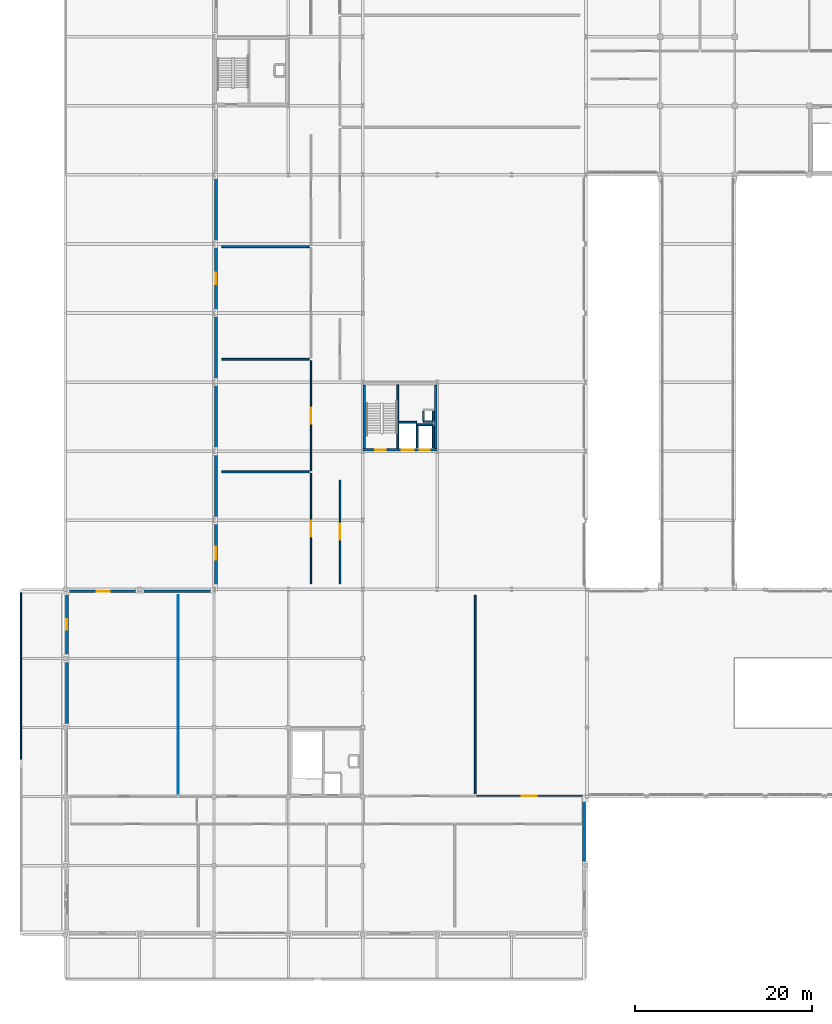
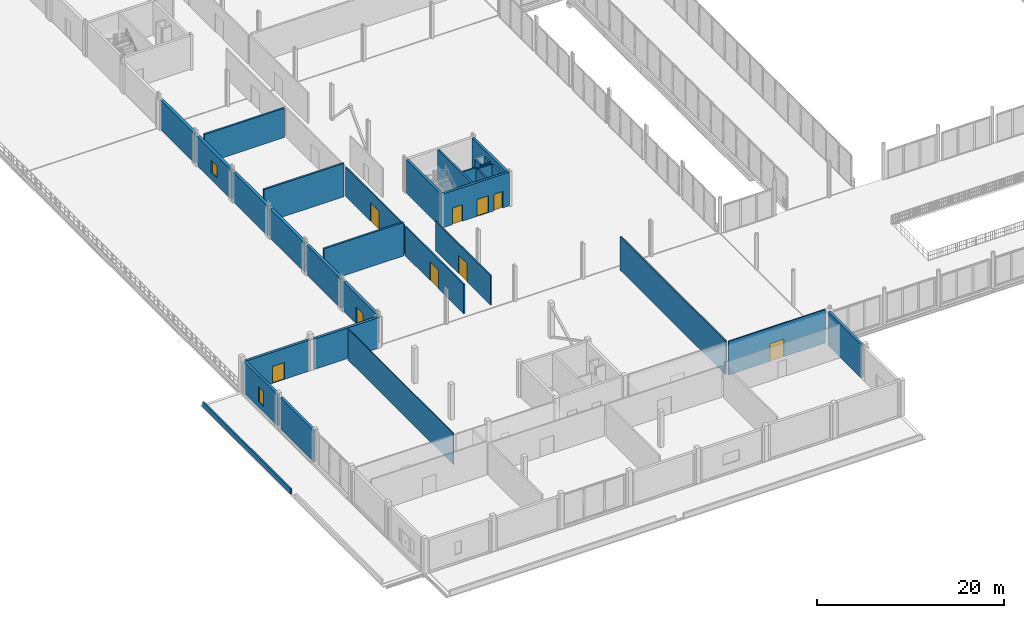
# One storey, part 69 of 98: 32 walls, 9 doors, 2 windows, 11 openings.
"""IFC4 building model written with IfcOpenShell, lengths in metres."""

from ifc_helpers import new_model, si_unit, direction, frame, frame_2d, origin, place, context, subcontext, project, spatial, rectangle, extrude, material, layer, layer_set, type_object, element, fill, save


model = new_model("IFC4")

# Units and contexts
model_context = context("Model", 3, precision=1e-05, world=origin(), true_north=direction((0.0, 1.0)))
body_context = subcontext(model_context, "Body", "Model", "MODEL_VIEW")
ifc_project = project(units=[si_unit("LENGTHUNIT", "METRE"), si_unit("AREAUNIT", "SQUARE_METRE"), si_unit("VOLUMEUNIT", "CUBIC_METRE"), si_unit("PLANEANGLEUNIT", "RADIAN"), si_unit("MASSUNIT", "GRAM", prefix="KILO")], contexts=[model_context])

# Site, building, storey
site_placement = place(None, origin())
site = spatial("IfcSite", under=ifc_project, at=site_placement, CompositionType="ELEMENT")
building_placement = place(site_placement, origin())
building = spatial("IfcBuilding", under=site, at=building_placement, Name="Nabrawat Pavilion Hospital", CompositionType="ELEMENT")
storey_placement = place(building_placement, frame((0.0, 0.0, 10.199951171875)))
storey = spatial("IfcBuildingStorey", under=building, at=storey_placement, Name="L02", CompositionType="ELEMENT", Elevation=10.199951171875)

# Wall
ifc_material_1 = material(Name="Gypsum Plasterboard on Stud", Category="gypsum")
ifc_layer_1 = layer(ifc_material_1, 0.10009765625, Name="Gypsum Plasterboard on Stud")
ifc_layer_set_1 = layer_set([ifc_layer_1], Name="Gypsum Plasterboard on Stud")
wall_type_1 = type_object("IfcWallType", Name="Clean Utility Sub-Partition 100", PredefinedType="PARTITIONING", material=ifc_layer_set_1)
wall_1_placement = place(storey_placement, frame((12.75, 15.909912109375, 0.0), z_axis=(0.0, 0.0, 1.0), x_axis=(0.0, 1.0, 0.0)))
element("IfcWall", 1, at=wall_1_placement, inside=storey, type_object=wall_type_1, Name="L02 Ventilator and ECMO Equipment Store L02-05 Dividing Partition", PredefinedType="PARTITIONING", context=body_context, shape_type="SweptSolid", body=[
    extrude(rectangle(XDim=22.400146484375, YDim=0.10009765625, at=frame_2d((11.2001953125, 0.0))), origin(), (0.0, 0.0, 1.0), 4.0400390625),
])

# Wall, opening, door
ifc_material_2 = material(Name="Gypsum Fireboard on Steel Stud", Category="steel")
ifc_layer_2 = layer(ifc_material_2, 0.14990234375, Name="Gypsum Fireboard on Steel Stud")
ifc_layer_set_2 = layer_set([ifc_layer_2], Name="Gypsum Fireboard on Steel Stud")
wall_type_2 = type_object("IfcWallType", Name="Clinical Corridor Smoke-Barrier Wall 150", PredefinedType="PARTITIONING", material=ifc_layer_set_2)
wall_2_placement = place(storey_placement, frame((46.4599609375, 15.68994140625, 0.0), z_axis=(0.0, 0.0, 1.0), x_axis=(1.0, 0.0, 0.0)))
wall_2 = element("IfcWall", 2, at=wall_2_placement, inside=storey, type_object=wall_type_2, Name="L02 Intensive Care Pod Coronary CCU B L02-08 Front Partition", PredefinedType="PARTITIONING", context=body_context, shape_type="SweptSolid", body=[
    extrude(rectangle(XDim=11.919921875, YDim=0.14990234375, at=frame_2d((5.9599609375, 0.0))), origin(), (0.0, 0.0, 1.0), 4.3701171875),
])
opening_1_placement = place(wall_2_placement, frame((5.110107421875, 0.0, 0.0)))
opening_1 = element("IfcOpeningElement", 3, at=opening_1_placement, cuts=wall_2, Name="Opening D-ICU", PredefinedType="OPENING", context=body_context, shape_type="SweptSolid", body=[
    extrude(rectangle(XDim=1.699951171875, YDim=2.300048828125, at=frame_2d((0.85009765625, 1.14990234375))), frame((0.0, 0.0849609375, 0.0), z_axis=(0.0, -1.0, 0.0), x_axis=(1.0, 0.0, 0.0)), (0.0, 0.0, 1.0), 0.169921875),
])
ifc_material_3 = material(Name="Stainless-Clad Acoustic Timber and Vision Glass", Category="wood")
door_type_1 = type_object("IfcDoorType", Name="Intensive Care Glazed Breakout Door 1700x2300", OperationType="DOUBLE_DOOR_SLIDING", PredefinedType="DOOR", material=ifc_material_3)
door_1_placement = place(opening_1_placement, origin())
door_1 = element("IfcDoor", 4, at=door_1_placement, inside=storey, type_object=door_type_1, Name="Intensive Care Pod Coronary CCU B L02-08 Door", OperationType="DOUBLE_DOOR_SLIDING", OverallHeight=2.300048828125, OverallWidth=1.699951171875, PredefinedType="DOOR", context=body_context, shape_type="SweptSolid", body=[
    extrude(rectangle(XDim=1.699951171875, YDim=2.300048828125, at=frame_2d((0.85009765625, 1.14990234375))), frame((0.0, 0.02490234375, 0.0), z_axis=(0.0, -1.0, 0.0), x_axis=(1.0, 0.0, 0.0)), (0.0, 0.0, 1.0), 0.050048828125),
])
fill(opening_1, door_1)

wall_3_placement = place(storey_placement, frame((27.760009765625, 39.6201171875, 0.0), z_axis=(0.0, 0.0, 1.0), x_axis=(0.0, 1.0, 0.0)))
wall_3 = element("IfcWall", 5, at=wall_3_placement, inside=storey, type_object=wall_type_2, Name="L02 Operating Theatre 7 Robotic Urology L02-01 Front Partition", PredefinedType="PARTITIONING", context=body_context, shape_type="SweptSolid", body=[
    extrude(rectangle(XDim=12.482421875, YDim=0.14990234375, at=frame_2d((6.2412109375, 0.0))), origin(), (0.0, 0.0, 1.0), 3.820068359375),
])
opening_2_placement = place(wall_3_placement, frame((5.34130859375, 0.0, 0.0)))
opening_2 = element("IfcOpeningElement", 6, at=opening_2_placement, cuts=wall_3, Name="Opening D-OR", PredefinedType="OPENING", context=body_context, shape_type="SweptSolid", body=[
    extrude(rectangle(XDim=1.800048828125, YDim=2.39990234375, at=frame_2d((0.89990234375, 1.199951171875))), frame((0.0, 0.0849609375, 0.0), z_axis=(0.0, -1.0, 0.0), x_axis=(1.0, 0.0, 0.0)), (0.0, 0.0, 1.0), 0.169921875),
])
door_type_2 = type_object("IfcDoorType", Name="D-OR Hermetic Operating Theatre Automatic Door 1800x2400", OperationType="DOUBLE_DOOR_SLIDING", PredefinedType="DOOR", material=ifc_material_3)
door_2_placement = place(opening_2_placement, origin())
door_2 = element("IfcDoor", 7, at=door_2_placement, inside=storey, type_object=door_type_2, Name="Operating Theatre 7 Robotic Urology L02-01 Door", OperationType="DOUBLE_DOOR_SLIDING", OverallHeight=2.39990234375, OverallWidth=1.800048828125, PredefinedType="DOOR", context=body_context, shape_type="SweptSolid", body=[
    extrude(rectangle(XDim=1.800048828125, YDim=2.39990234375, at=frame_2d((0.89990234375, 1.199951171875))), frame((0.0, 0.02490234375, 0.0), z_axis=(0.0, -1.0, 0.0), x_axis=(1.0, 0.0, 0.0)), (0.0, 0.0, 1.0), 0.050048828125),
])
fill(opening_2, door_2)

wall_4_placement = place(storey_placement, frame((27.760009765625, 52.422607421875, 0.0), z_axis=(0.0, 0.0, 1.0), x_axis=(0.0, 1.0, 0.0)))
wall_4 = element("IfcWall", 8, at=wall_4_placement, inside=storey, type_object=wall_type_2, Name="L02 Operating Theatre 8 Ophthalmic Microsurgery L02-02 Front Partition", PredefinedType="PARTITIONING", context=body_context, shape_type="SweptSolid", body=[
    extrude(rectangle(XDim=12.40234375, YDim=0.14990234375, at=frame_2d((6.201171875, 0.0))), origin(), (0.0, 0.0, 1.0), 3.820068359375),
])
opening_3_placement = place(wall_4_placement, frame((5.30126953125, 0.0, 0.0)))
opening_3 = element("IfcOpeningElement", 9, at=opening_3_placement, cuts=wall_4, Name="Opening D-OR", PredefinedType="OPENING", context=body_context, shape_type="SweptSolid", body=[
    extrude(rectangle(XDim=1.800048828125, YDim=2.39990234375, at=frame_2d((0.89990234375, 1.199951171875))), frame((0.0, 0.0849609375, 0.0), z_axis=(0.0, -1.0, 0.0), x_axis=(1.0, 0.0, 0.0)), (0.0, 0.0, 1.0), 0.169921875),
])
door_3_placement = place(opening_3_placement, origin())
door_3 = element("IfcDoor", 10, at=door_3_placement, inside=storey, type_object=door_type_2, Name="Operating Theatre 8 Ophthalmic Microsurgery L02-02 Door", OperationType="DOUBLE_DOOR_SLIDING", OverallHeight=2.39990234375, OverallWidth=1.800048828125, PredefinedType="DOOR", context=body_context, shape_type="SweptSolid", body=[
    extrude(rectangle(XDim=1.800048828125, YDim=2.39990234375, at=frame_2d((0.89990234375, 1.199951171875))), frame((0.0, 0.02490234375, 0.0), z_axis=(0.0, -1.0, 0.0), x_axis=(1.0, 0.0, 0.0)), (0.0, 0.0, 1.0), 0.050048828125),
])
fill(opening_3, door_3)

wall_5_placement = place(storey_placement, frame((31.0400390625, 39.6201171875, 0.0), z_axis=(0.0, 0.0, 1.0), x_axis=(0.0, 1.0, 0.0)))
wall_5 = element("IfcWall", 11, at=wall_5_placement, inside=storey, type_object=wall_type_2, Name="L02 Operating Theatre 12 Plastic Microsurgical L02-06 Front Partition", PredefinedType="PARTITIONING", context=body_context, shape_type="SweptSolid", body=[
    extrude(rectangle(XDim=11.72998046875, YDim=0.14990234375, at=frame_2d((5.864990234375, 0.0))), origin(), (0.0, 0.0, 1.0), 3.820068359375),
])
opening_4_placement = place(wall_5_placement, frame((4.965087890625, 0.0, 0.0)))
opening_4 = element("IfcOpeningElement", 12, at=opening_4_placement, cuts=wall_5, Name="Opening D-OR", PredefinedType="OPENING", context=body_context, shape_type="SweptSolid", body=[
    extrude(rectangle(XDim=1.800048828125, YDim=2.39990234375, at=frame_2d((0.89990234375, 1.199951171875))), frame((0.0, 0.0849609375, 0.0), z_axis=(0.0, -1.0, 0.0), x_axis=(1.0, 0.0, 0.0)), (0.0, 0.0, 1.0), 0.169921875),
])
door_4_placement = place(opening_4_placement, origin())
door_4 = element("IfcDoor", 13, at=door_4_placement, inside=storey, type_object=door_type_2, Name="Operating Theatre 12 Plastic Microsurgical L02-06 Door", OperationType="DOUBLE_DOOR_SLIDING", OverallHeight=2.39990234375, OverallWidth=1.800048828125, PredefinedType="DOOR", context=body_context, shape_type="SweptSolid", body=[
    extrude(rectangle(XDim=1.800048828125, YDim=2.39990234375, at=frame_2d((0.89990234375, 1.199951171875))), frame((0.0, 0.02490234375, 0.0), z_axis=(0.0, -1.0, 0.0), x_axis=(1.0, 0.0, 0.0)), (0.0, 0.0, 1.0), 0.050048828125),
])
fill(opening_4, door_4)

# Walls
ifc_material_4 = material(Name="Acoustic Gypsum on Twin Stud", Category="gypsum")
ifc_layer_3 = layer(ifc_material_4, 0.179931640625, Name="Acoustic Gypsum on Twin Stud")
ifc_layer_set_3 = layer_set([ifc_layer_3], Name="Acoustic Gypsum on Twin Stud")
wall_type_3 = type_object("IfcWallType", Name="Critical Care Acoustic Glazed Partition 180", PredefinedType="PARTITIONING", material=ifc_layer_set_3)
wall_6_placement = place(storey_placement, frame((46.300048828125, 15.909912109375, 0.0), z_axis=(0.0, 0.0, 1.0), x_axis=(0.0, 1.0, 0.0)))
element("IfcWall", 14, at=wall_6_placement, inside=storey, type_object=wall_type_3, Name="L02 Intensive Care Pod Adult Medical A L02-07 Dividing Partition", PredefinedType="PARTITIONING", context=body_context, shape_type="SweptSolid", body=[
    extrude(rectangle(XDim=22.400146484375, YDim=0.179931640625, at=frame_2d((11.2001953125, 0.0))), origin(), (0.0, 0.0, 1.0), 4.3701171875),
])
ifc_material_5 = material(Name="Precast concrete C40/50", Category="concrete")
ifc_layer_4 = layer(ifc_material_5, 0.320068359375, Name="Precast concrete C40/50")
ifc_layer_set_4 = layer_set([ifc_layer_4], Name="Precast concrete C40/50")
wall_type_4 = type_object("IfcWallType", Name="Deep-Reveal Precast Facade Wall 320", PredefinedType="SOLIDWALL", material=ifc_layer_set_4)
wall_7_placement = place(storey_placement, frame((0.219970703125, 23.699951171875, 0.0), z_axis=(0.0, 0.0, 1.0), x_axis=(0.0, 1.0, 0.0)))
element("IfcWall", 15, at=wall_7_placement, inside=storey, type_object=wall_type_4, Name="L02 Deep-Reveal Precast Facade Wall 320 237", PredefinedType="SOLIDWALL", context=body_context, shape_type="SweptSolid", body=[
    extrude(rectangle(XDim=7.199951171875, YDim=0.320068359375, at=frame_2d((3.60009765625, 0.0))), origin(), (0.0, 0.0, 1.0), 4.0400390625),
])

# Wall, opening, window
wall_8_placement = place(storey_placement, frame((0.219970703125, 31.5, 0.0), z_axis=(0.0, 0.0, 1.0), x_axis=(0.0, 1.0, 0.0)))
wall_8 = element("IfcWall", 16, at=wall_8_placement, inside=storey, type_object=wall_type_4, Name="L02 Deep-Reveal Precast Facade Wall 320 238", PredefinedType="SOLIDWALL", context=body_context, shape_type="SweptSolid", body=[
    extrude(rectangle(XDim=7.06005859375, YDim=0.320068359375, at=frame_2d((3.530029296875, 0.0))), origin(), (0.0, 0.0, 1.0), 4.0400390625),
])
opening_5_placement = place(wall_8_placement, frame((2.955078125, 0.0, 0.699951171875)))
opening_5 = element("IfcOpeningElement", 17, at=opening_5_placement, cuts=wall_8, Name="Opening WN-27", PredefinedType="OPENING", context=body_context, shape_type="SweptSolid", body=[
    extrude(rectangle(XDim=1.14990234375, YDim=1.949951171875, at=frame_2d((0.574951171875, 0.97509765625))), frame((0.0, 0.169921875, 0.0), z_axis=(0.0, -1.0, 0.0), x_axis=(1.0, 0.0, 0.0)), (0.0, 0.0, 1.0), 0.340087890625),
])
ifc_material_6 = material(Name="Thermally Broken Aluminium and Solar Glass", Category="aluminium")
window_type_1 = type_object("IfcWindowType", Name="Clinical Library Tall Window 1150x1950", PartitioningType="SINGLE_PANEL", PredefinedType="WINDOW", material=ifc_material_6)
window_1_placement = place(opening_5_placement, origin())
window_1 = element("IfcWindow", 18, at=window_1_placement, inside=storey, type_object=window_type_1, Name="L02 Clinical Library Tall Window 1150x1950 091", OverallHeight=1.949951171875, OverallWidth=1.14990234375, PartitioningType="SINGLE_PANEL", PredefinedType="WINDOW", context=body_context, shape_type="SweptSolid", body=[
    extrude(rectangle(XDim=1.14990234375, YDim=1.949951171875, at=frame_2d((0.574951171875, 0.97509765625))), frame((0.0, 0.030029296875, 0.0), z_axis=(0.0, -1.0, 0.0), x_axis=(1.0, 0.0, 0.0)), (0.0, 0.0, 1.0), 0.06005859375),
])
fill(opening_5, window_1)

# Wall, opening, door
wall_9_placement = place(storey_placement, frame((0.300048828125, 38.780029296875, 0.0), z_axis=(0.0, 0.0, 1.0), x_axis=(1.0, 0.0, 0.0)))
wall_9 = element("IfcWall", 19, at=wall_9_placement, inside=storey, type_object=wall_type_4, Name="L02 Deep-Reveal Precast Facade Wall 320 245", PredefinedType="SOLIDWALL", context=body_context, shape_type="SweptSolid", body=[
    extrude(rectangle(XDim=7.800048828125, YDim=0.320068359375, at=frame_2d((3.89990234375, 0.0))), origin(), (0.0, 0.0, 1.0), 4.0400390625),
])
opening_6_placement = place(wall_9_placement, frame((3.25, 0.0, 0.0)))
opening_6 = element("IfcOpeningElement", 20, at=opening_6_placement, cuts=wall_9, Name="Opening ED-TER-150", PredefinedType="OPENING", context=body_context, shape_type="SweptSolid", body=[
    extrude(rectangle(XDim=1.5, YDim=2.199951171875, at=frame_2d((0.75, 1.10009765625))), frame((0.0, 0.169921875, 0.0), z_axis=(0.0, -1.0, 0.0), x_axis=(1.0, 0.0, 0.0)), (0.0, 0.0, 1.0), 0.340087890625),
])
ifc_material_7 = material(Name="Powder-Coated Galvanised Steel and Safety Glass", Category="steel")
door_type_3 = type_object("IfcDoorType", Name="Clinical Recovery Terrace Double Door 1500x2200", OperationType="NOTDEFINED", PredefinedType="DOOR", material=ifc_material_7)
door_5_placement = place(opening_6_placement, origin())
door_5 = element("IfcDoor", 21, at=door_5_placement, inside=storey, type_object=door_type_3, Name="L02 Clinical Recovery Terrace Door T_L02_SURG_WEST_S", OperationType="DOUBLE_DOOR_SINGLE_SWING", OverallHeight=2.199951171875, OverallWidth=1.5, PredefinedType="DOOR", context=body_context, shape_type="SweptSolid", body=[
    extrude(rectangle(XDim=1.5, YDim=2.199951171875, at=frame_2d((0.75, 1.10009765625))), frame((0.0, 0.02490234375, 0.0), z_axis=(0.0, -1.0, 0.0), x_axis=(1.0, 0.0, 0.0)), (0.0, 0.0, 1.0), 0.050048828125),
])
fill(opening_6, door_5)

# Walls
wall_10_placement = place(storey_placement, frame((8.699951171875, 38.780029296875, 0.0), z_axis=(0.0, 0.0, 1.0), x_axis=(1.0, 0.0, 0.0)))
element("IfcWall", 22, at=wall_10_placement, inside=storey, type_object=wall_type_4, Name="L02 Deep-Reveal Precast Facade Wall 320 246", PredefinedType="SOLIDWALL", context=body_context, shape_type="SweptSolid", body=[
    extrude(rectangle(XDim=7.900146484375, YDim=0.320068359375, at=frame_2d((3.9501953125, 0.0))), origin(), (0.0, 0.0, 1.0), 3.969970703125),
])
wall_11_placement = place(storey_placement, frame((58.580078125, 8.10009765625, 0.0), z_axis=(0.0, 0.0, 1.0), x_axis=(0.0, 1.0, 0.0)))
element("IfcWall", 23, at=wall_11_placement, inside=storey, type_object=wall_type_4, Name="L02 Deep-Reveal Precast Facade Wall 320 261", PredefinedType="SOLIDWALL", context=body_context, shape_type="SweptSolid", body=[
    extrude(rectangle(XDim=7.059814453125, YDim=0.320068359375, at=frame_2d((3.52978515625, 0.0))), origin(), (0.0, 0.0, 1.0), 4.3701171875),
])
ifc_material_8 = material(Name="Concrete C35/45", Category="concrete")
ifc_layer_5 = layer(ifc_material_8, 0.199951171875, Name="Concrete C35/45")
ifc_layer_set_5 = layer_set([ifc_layer_5], Name="Concrete C35/45")
wall_type_5 = type_object("IfcWallType", Name="Lift and Riser Fire Shaft Wall 200", PredefinedType="PARTITIONING", material=ifc_layer_set_5)
wall_12_placement = place(storey_placement, frame((37.550048828125, 54.919921875, 0.0), z_axis=(0.0, 0.0, 1.0), x_axis=(0.0, 1.0, 0.0)))
element("IfcWall", 24, at=wall_12_placement, inside=storey, type_object=wall_type_5, Name="L02 CORE-2 Stair-Lift Dividing Shear Wall", PredefinedType="SHEAR", context=body_context, shape_type="SweptSolid", body=[
    extrude(rectangle(XDim=7.16015625, YDim=0.199951171875, at=frame_2d((3.580078125, 0.0))), origin(), (0.0, 0.0, 1.0), 4.380126953125),
])
wall_13_placement = place(storey_placement, frame((40.449951171875, 57.949951171875, 0.0), z_axis=(0.0, 0.0, 1.0), x_axis=(1.0, 0.0, 0.0)))
element("IfcWall", 25, at=wall_13_placement, inside=storey, type_object=wall_type_5, Name="L02 CORE-2 MEP Riser Shaft Wall S", PredefinedType="PARTITIONING", context=body_context, shape_type="SweptSolid", body=[
    extrude(rectangle(XDim=1.10009765625, YDim=0.199951171875, at=frame_2d((0.550048828125, 0.0))), origin(), (0.0, 0.0, 1.0), 3.820068359375),
])
for number, where, z_axis, x_axis, name in (
    (26, (40.449951171875, 58.070068359375, 0.0), (0.0, 0.0, 1.0), (0.0, 1.0, 0.0), "L02 CORE-2 MEP Riser Shaft Wall W"),
    (27, (41.550048828125, 58.070068359375, 0.0), (0.0, 0.0, 1.0), (0.0, 1.0, 0.0), "L02 CORE-2 MEP Riser Shaft Wall E"),
):
    element("IfcWall", number, at=place(storey_placement, frame(where, z_axis=z_axis, x_axis=x_axis)), inside=storey, type_object=wall_type_5, Name=name, PredefinedType="PARTITIONING", context=body_context, shape_type="SweptSolid", body=[
        extrude(rectangle(XDim=1.059814453125, YDim=0.199951171875, at=frame_2d((0.52978515625, 0.0))), origin(), (0.0, 0.0, 1.0), 3.820068359375),
    ])
wall_14_placement = place(storey_placement, frame((39.739990234375, 54.97998046875, 0.0), z_axis=(0.0, 0.0, 1.0), x_axis=(0.0, 1.0, 0.0)))
element("IfcWall", 28, at=wall_14_placement, inside=storey, type_object=wall_type_5, Name="L02 Lift LB-01 Shaft East Wall", PredefinedType="PARTITIONING", context=body_context, shape_type="SweptSolid", body=[
    extrude(rectangle(XDim=2.739990234375, YDim=0.199951171875, at=frame_2d((1.3701171875, 0.0))), origin(), (0.0, 0.0, 1.0), 3.820068359375),
])
wall_15_placement = place(storey_placement, frame((37.64990234375, 57.8798828125, 0.0), z_axis=(0.0, 0.0, 1.0), x_axis=(1.0, 0.0, 0.0)))
element("IfcWall", 29, at=wall_15_placement, inside=storey, type_object=wall_type_5, Name="L02 Lift LB-01 Shaft Back Wall", PredefinedType="PARTITIONING", context=body_context, shape_type="SweptSolid", body=[
    extrude(rectangle(XDim=2.06005859375, YDim=0.199951171875, at=frame_2d((1.030029296875, 0.0))), origin(), (0.0, 0.0, 1.0), 3.820068359375),
])
wall_16_placement = place(storey_placement, frame((41.56005859375, 54.97998046875, 0.0), z_axis=(0.0, 0.0, 1.0), x_axis=(0.0, 1.0, 0.0)))
element("IfcWall", 30, at=wall_16_placement, inside=storey, type_object=wall_type_5, Name="L02 Lift LS-01 Shaft East Wall", PredefinedType="PARTITIONING", context=body_context, shape_type="SweptSolid", body=[
    extrude(rectangle(XDim=2.43994140625, YDim=0.199951171875, at=frame_2d((1.219970703125, 0.0))), origin(), (0.0, 0.0, 1.0), 3.820068359375),
])
wall_17_placement = place(storey_placement, frame((39.669921875, 57.580078125, 0.0), z_axis=(0.0, 0.0, 1.0), x_axis=(1.0, 0.0, 0.0)))
element("IfcWall", 31, at=wall_17_placement, inside=storey, type_object=wall_type_5, Name="L02 Lift LS-01 Shaft Back Wall", PredefinedType="PARTITIONING", context=body_context, shape_type="SweptSolid", body=[
    extrude(rectangle(XDim=1.860107421875, YDim=0.199951171875, at=frame_2d((0.93017578125, 0.0))), origin(), (0.0, 0.0, 1.0), 3.820068359375),
])
ifc_layer_6 = layer(ifc_material_5, 0.179931640625, Name="Precast concrete C40/50")
ifc_layer_set_6 = layer_set([ifc_layer_6], Name="Precast concrete C40/50")
wall_type_6 = type_object("IfcWallType", Name="Precast Concrete Roof Parapet Upstand 180", PredefinedType="PARAPET", material=ifc_layer_set_6)
wall_18_placement = place(storey_placement, frame((-5.0, 19.800048828125, 0.0), z_axis=(0.0, 0.0, 1.0), x_axis=(0.0, 1.0, 0.0)))
element("IfcWall", 32, at=wall_18_placement, inside=storey, type_object=wall_type_6, Name="L02 Roof Edge Precast Parapet 04", PredefinedType="PARAPET", context=body_context, shape_type="SweptSolid", body=[
    extrude(rectangle(XDim=18.800048828125, YDim=0.179931640625, at=frame_2d((9.39990234375, 0.0))), origin(), (0.0, 0.0, 1.0), 0.650146484375),
])

# Wall, openings, doors
ifc_material_9 = material(Name="Concrete C40/50", Category="concrete")
ifc_layer_7 = layer(ifc_material_9, 0.300048828125, Name="Concrete C40/50")
ifc_layer_set_7 = layer_set([ifc_layer_7], Name="Concrete C40/50")
wall_type_7 = type_object("IfcWallType", Name="Reinforced Concrete Core Shear Wall 300", PredefinedType="SHEAR", material=ifc_layer_set_7)
wall_19_placement = place(storey_placement, frame((33.60009765625, 54.75, 0.0), z_axis=(0.0, 0.0, 1.0), x_axis=(1.0, 0.0, 0.0)))
wall_19 = element("IfcWall", 33, at=wall_19_placement, inside=storey, type_object=wall_type_7, Name="L02 CORE-2 South Core Shear Wall", PredefinedType="SHEAR", context=body_context, shape_type="SweptSolid", body=[
    extrude(rectangle(XDim=8.39990234375, YDim=0.300048828125, at=frame_2d((4.199951171875, 0.0))), origin(), (0.0, 0.0, 1.0), 4.380126953125),
])
opening_7_placement = place(wall_19_placement, frame((1.3798828125, 0.0, 0.0)))
opening_7 = element("IfcOpeningElement", 34, at=opening_7_placement, cuts=wall_19, Name="Opening D-STAIR", PredefinedType="OPENING", context=body_context, shape_type="SweptSolid", body=[
    extrude(rectangle(XDim=1.199951171875, YDim=2.14990234375, at=frame_2d((0.60009765625, 1.074951171875))), frame((0.0, 0.16015625, 0.0), z_axis=(0.0, -1.0, 0.0), x_axis=(1.0, 0.0, 0.0)), (0.0, 0.0, 1.0), 0.320068359375),
])
opening_8_placement = place(wall_19_placement, frame((4.3798828125, 0.0, 0.0)))
opening_8 = element("IfcOpeningElement", 35, at=opening_8_placement, cuts=wall_19, Name="Opening LD-LB-01", PredefinedType="OPENING", context=body_context, shape_type="SweptSolid", body=[
    extrude(rectangle(XDim=1.39990234375, YDim=2.199951171875, at=frame_2d((0.699951171875, 1.10009765625))), frame((0.0, 0.16015625, 0.0), z_axis=(0.0, -1.0, 0.0), x_axis=(1.0, 0.0, 0.0)), (0.0, 0.0, 1.0), 0.320068359375),
])
opening_9_placement = place(wall_19_placement, frame((6.449951171875, 0.0, 0.0)))
opening_9 = element("IfcOpeningElement", 36, at=opening_9_placement, cuts=wall_19, Name="Opening LD-LS-01", PredefinedType="OPENING", context=body_context, shape_type="SweptSolid", body=[
    extrude(rectangle(XDim=1.10009765625, YDim=2.14990234375, at=frame_2d((0.550048828125, 1.074951171875))), frame((0.0, 0.16015625, 0.0), z_axis=(0.0, -1.0, 0.0), x_axis=(1.0, 0.0, 0.0)), (0.0, 0.0, 1.0), 0.320068359375),
])
door_type_4 = type_object("IfcDoorType", Name="D-STAIR Exit Stair Fire Door 1200x2150", OperationType="NOTDEFINED", PredefinedType="DOOR", material=ifc_material_3)
door_6_placement = place(opening_7_placement, origin())
door_6 = element("IfcDoor", 37, at=door_6_placement, inside=storey, type_object=door_type_4, Name="L02 ST-02 Fire Exit Stair Door", OperationType="SINGLE_SWING_LEFT", OverallHeight=2.14990234375, OverallWidth=1.199951171875, PredefinedType="DOOR", context=body_context, shape_type="SweptSolid", body=[
    extrude(rectangle(XDim=1.199951171875, YDim=2.14990234375, at=frame_2d((0.60009765625, 1.074951171875))), frame((0.0, 0.02490234375, 0.0), z_axis=(0.0, -1.0, 0.0), x_axis=(1.0, 0.0, 0.0)), (0.0, 0.0, 1.0), 0.050048828125),
])
fill(opening_7, door_6)
door_type_5 = type_object("IfcDoorType", Name="Hospital Bed Lift Sliding Landing Door 1400x2200", OperationType="DOUBLE_DOOR_SLIDING", PredefinedType="DOOR", material=ifc_material_3)
door_7_placement = place(opening_8_placement, origin())
door_7 = element("IfcDoor", 38, at=door_7_placement, inside=storey, type_object=door_type_5, Name="L02 Lift LB-01 Sliding Landing Door", OperationType="DOUBLE_DOOR_SLIDING", OverallHeight=2.199951171875, OverallWidth=1.39990234375, PredefinedType="DOOR", context=body_context, shape_type="SweptSolid", body=[
    extrude(rectangle(XDim=1.39990234375, YDim=2.199951171875, at=frame_2d((0.699951171875, 1.10009765625))), frame((0.0, 0.02490234375, 0.0), z_axis=(0.0, -1.0, 0.0), x_axis=(1.0, 0.0, 0.0)), (0.0, 0.0, 1.0), 0.050048828125),
])
fill(opening_8, door_7)
door_type_6 = type_object("IfcDoorType", Name="Passenger Lift Sliding Landing Door 1100x2150", OperationType="DOUBLE_DOOR_SLIDING", PredefinedType="DOOR", material=ifc_material_3)
door_8_placement = place(opening_9_placement, origin())
door_8 = element("IfcDoor", 39, at=door_8_placement, inside=storey, type_object=door_type_6, Name="L02 Lift LS-01 Sliding Landing Door", OperationType="DOUBLE_DOOR_SLIDING", OverallHeight=2.14990234375, OverallWidth=1.10009765625, PredefinedType="DOOR", context=body_context, shape_type="SweptSolid", body=[
    extrude(rectangle(XDim=1.10009765625, YDim=2.14990234375, at=frame_2d((0.550048828125, 1.074951171875))), frame((0.0, 0.02490234375, 0.0), z_axis=(0.0, -1.0, 0.0), x_axis=(1.0, 0.0, 0.0)), (0.0, 0.0, 1.0), 0.050048828125),
])
fill(opening_9, door_8)

# Walls
for number, where, z_axis, x_axis, name in (
    (40, (33.75, 54.89990234375, 0.0), (0.0, 0.0, 1.0), (0.0, 1.0, 0.0), "L02 CORE-2 West Core Shear Wall"),
    (41, (41.85009765625, 54.89990234375, 0.0), (0.0, 0.0, 1.0), (0.0, 1.0, 0.0), "L02 CORE-2 East Core Shear Wall"),
):
    element("IfcWall", number, at=place(storey_placement, frame(where, z_axis=z_axis, x_axis=x_axis)), inside=storey, type_object=wall_type_7, Name=name, PredefinedType="SHEAR", context=body_context, shape_type="SweptSolid", body=[
        extrude(rectangle(XDim=7.2001953125, YDim=0.300048828125, at=frame_2d((3.60009765625, 0.0))), origin(), (0.0, 0.0, 1.0), 4.380126953125),
    ])

# Wall, opening, door
ifc_layer_8 = layer(ifc_material_5, 0.360107421875, Name="Precast concrete C40/50")
ifc_layer_set_8 = layer_set([ifc_layer_8], Name="Precast concrete C40/50")
wall_type_8 = type_object("IfcWallType", Name="Surgical Acoustic Precast Facade Wall 360", PredefinedType="SOLIDWALL", material=ifc_layer_set_8)
wall_20_placement = place(storey_placement, frame((17.02001953125, 39.43994140625, 0.0), z_axis=(0.0, 0.0, 1.0), x_axis=(0.0, 1.0, 0.0)))
wall_20 = element("IfcWall", 42, at=wall_20_placement, inside=storey, type_object=wall_type_8, Name="L02 Surgical Acoustic Precast Facade Wall 360 247", PredefinedType="SOLIDWALL", context=body_context, shape_type="SweptSolid", body=[
    extrude(rectangle(XDim=7.0849609375, YDim=0.360107421875, at=frame_2d((3.54248046875, 0.0))), origin(), (0.0, 0.0, 1.0), 3.820068359375),
])
opening_10_placement = place(wall_20_placement, frame((2.882568359375, 0.0, 0.0)))
opening_10 = element("IfcOpeningElement", 43, at=opening_10_placement, cuts=wall_20, Name="Opening ED-TER-150", PredefinedType="OPENING", context=body_context, shape_type="SweptSolid", body=[
    extrude(rectangle(XDim=1.5, YDim=2.199951171875, at=frame_2d((0.75, 1.10009765625))), frame((0.0, 0.18994140625, 0.0), z_axis=(0.0, -1.0, 0.0), x_axis=(1.0, 0.0, 0.0)), (0.0, 0.0, 1.0), 0.380126953125),
])
door_9_placement = place(opening_10_placement, origin())
door_9 = element("IfcDoor", 44, at=door_9_placement, inside=storey, type_object=door_type_3, Name="L02 Clinical Recovery Terrace Door T_L02_SURG_WEST_S", OperationType="DOUBLE_DOOR_SINGLE_SWING", OverallHeight=2.199951171875, OverallWidth=1.5, PredefinedType="DOOR", context=body_context, shape_type="SweptSolid", body=[
    extrude(rectangle(XDim=1.5, YDim=2.199951171875, at=frame_2d((0.75, 1.10009765625))), frame((0.0, 0.02490234375, 0.0), z_axis=(0.0, -1.0, 0.0), x_axis=(1.0, 0.0, 0.0)), (0.0, 0.0, 1.0), 0.050048828125),
])
fill(opening_10, door_9)

# Walls
for number, where, z_axis, x_axis, name in (
    (45, (17.02001953125, 47.074951171875, 0.0), (0.0, 0.0, 1.0), (0.0, 1.0, 0.0), "L02 Surgical Acoustic Precast Facade Wall 360 248"),
    (46, (17.02001953125, 54.875, 0.0), (0.0, 0.0, 1.0), (0.0, 1.0, 0.0), "L02 Surgical Acoustic Precast Facade Wall 360 249"),
    (47, (17.02001953125, 62.675048828125, 0.0), (0.0, 0.0, 1.0), (0.0, 1.0, 0.0), "L02 Surgical Acoustic Precast Facade Wall 360 250"),
):
    element("IfcWall", number, at=place(storey_placement, frame(where, z_axis=z_axis, x_axis=x_axis)), inside=storey, type_object=wall_type_8, Name=name, PredefinedType="SOLIDWALL", context=body_context, shape_type="SweptSolid", body=[
        extrude(rectangle(XDim=7.25, YDim=0.360107421875, at=frame_2d((3.625, 0.0))), origin(), (0.0, 0.0, 1.0), 3.820068359375),
    ])

# Wall, opening, window
wall_21_placement = place(storey_placement, frame((17.02001953125, 70.47509765625, 0.0), z_axis=(0.0, 0.0, 1.0), x_axis=(0.0, 1.0, 0.0)))
wall_21 = element("IfcWall", 48, at=wall_21_placement, inside=storey, type_object=wall_type_8, Name="L02 Surgical Acoustic Precast Facade Wall 360 251", PredefinedType="SOLIDWALL", context=body_context, shape_type="SweptSolid", body=[
    extrude(rectangle(XDim=7.25, YDim=0.360107421875, at=frame_2d((3.625, 0.0))), origin(), (0.0, 0.0, 1.0), 3.820068359375),
])
opening_11_placement = place(wall_21_placement, frame((2.97509765625, 0.0, 0.89990234375)))
opening_11 = element("IfcOpeningElement", 49, at=opening_11_placement, cuts=wall_21, Name="Opening WN-30", PredefinedType="OPENING", context=body_context, shape_type="SweptSolid", body=[
    extrude(rectangle(XDim=1.300048828125, YDim=1.60009765625, at=frame_2d((0.64990234375, 0.800048828125))), frame((0.0, 0.18994140625, 0.0), z_axis=(0.0, -1.0, 0.0), x_axis=(1.0, 0.0, 0.0)), (0.0, 0.0, 1.0), 0.380126953125),
])
window_type_2 = type_object("IfcWindowType", Name="Genetics Clinic Window 1300x1600", PartitioningType="SINGLE_PANEL", PredefinedType="WINDOW", material=ifc_material_6)
window_2_placement = place(opening_11_placement, origin())
window_2 = element("IfcWindow", 50, at=window_2_placement, inside=storey, type_object=window_type_2, Name="L02 Genetics Clinic Window 1300x1600 094", OverallHeight=1.60009765625, OverallWidth=1.300048828125, PartitioningType="SINGLE_PANEL", PredefinedType="WINDOW", context=body_context, shape_type="SweptSolid", body=[
    extrude(rectangle(XDim=1.300048828125, YDim=1.60009765625, at=frame_2d((0.64990234375, 0.800048828125))), frame((0.0, 0.030029296875, 0.0), z_axis=(0.0, -1.0, 0.0), x_axis=(1.0, 0.0, 0.0)), (0.0, 0.0, 1.0), 0.06005859375),
])
fill(opening_11, window_2)

# Walls
wall_22_placement = place(storey_placement, frame((17.02001953125, 78.27490234375, 0.0), z_axis=(0.0, 0.0, 1.0), x_axis=(0.0, 1.0, 0.0)))
element("IfcWall", 51, at=wall_22_placement, inside=storey, type_object=wall_type_8, Name="L02 Surgical Acoustic Precast Facade Wall 360 252", PredefinedType="SOLIDWALL", context=body_context, shape_type="SweptSolid", body=[
    extrude(rectangle(XDim=7.25, YDim=0.360107421875, at=frame_2d((3.625, 0.0))), origin(), (0.0, 0.0, 1.0), 3.820068359375),
])
ifc_material_10 = material(Name="Hygienic Gypsum and Lead Core", Category="gypsum")
ifc_layer_9 = layer(ifc_material_10, 0.219970703125, Name="Hygienic Gypsum and Lead Core")
ifc_layer_set_9 = layer_set([ifc_layer_9], Name="Hygienic Gypsum and Lead Core")
wall_type_9 = type_object("IfcWallType", Name="Surgical Hygienic Lead-Shielded Wall 220", PredefinedType="PARTITIONING", material=ifc_layer_set_9)
for number, where, z_axis, x_axis, name in (
    (52, (17.68994140625, 52.262451171875, 0.0), (0.0, 0.0, 1.0), (1.0, 0.0, 0.0), "L02 Operating Theatre 7 Robotic Urology L02-01 Dividing Partition"),
    (53, (17.68994140625, 64.985107421875, 0.0), (0.0, 0.0, 1.0), (1.0, 0.0, 0.0), "L02 Operating Theatre 8 Ophthalmic Microsurgery L02-02 Dividing Partition"),
):
    element("IfcWall", number, at=place(storey_placement, frame(where, z_axis=z_axis, x_axis=x_axis)), inside=storey, type_object=wall_type_9, Name=name, PredefinedType="PARTITIONING", context=body_context, shape_type="SweptSolid", body=[
        extrude(rectangle(XDim=9.85009765625, YDim=0.219970703125, at=frame_2d((4.925048828125, 0.0))), origin(), (0.0, 0.0, 1.0), 4.360107421875),
    ])
wall_23_placement = place(storey_placement, frame((17.68994140625, 77.70751953125, 0.0), z_axis=(0.0, 0.0, 1.0), x_axis=(1.0, 0.0, 0.0)))
element("IfcWall", 54, at=wall_23_placement, inside=storey, type_object=wall_type_9, Name="L02 Operating Theatre 9 ENT Head and Neck L02-03 Dividing Partition", PredefinedType="PARTITIONING", context=body_context, shape_type="SweptSolid", body=[
    extrude(rectangle(XDim=9.85009765625, YDim=0.219970703125, at=frame_2d((4.925048828125, 0.0))), origin(), (0.0, 0.0, 1.0), 3.820068359375),
])

save(model, "model.ifc")
